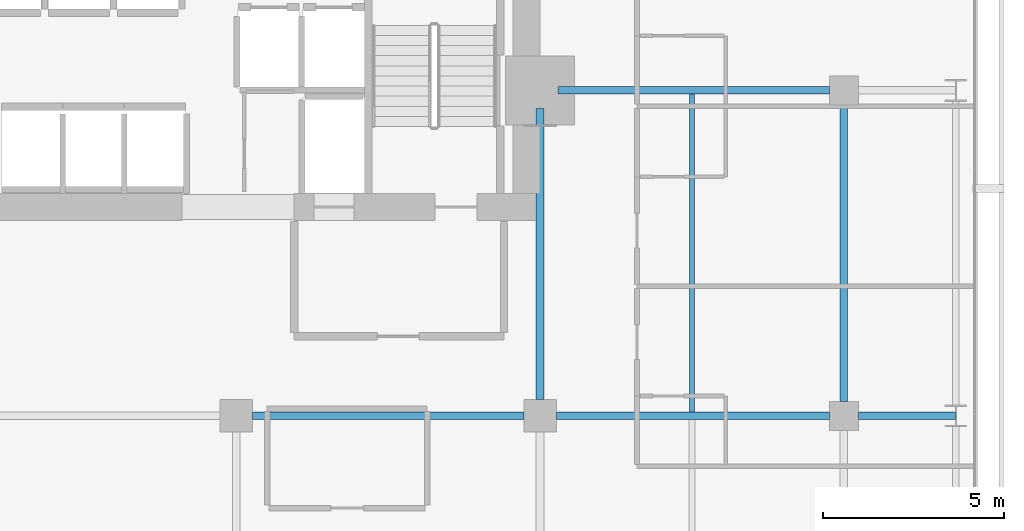
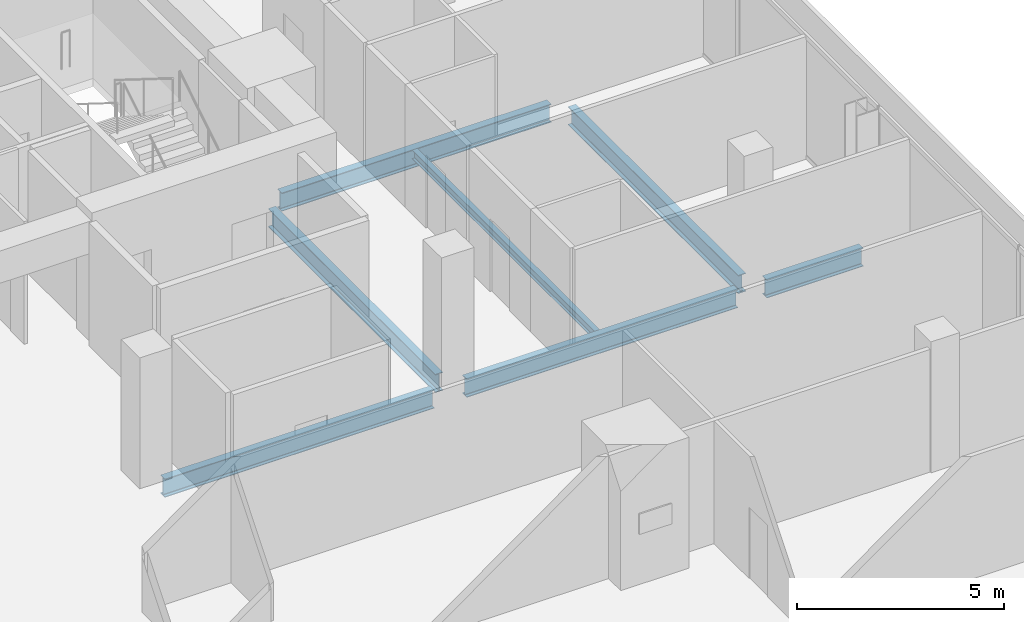
# One storey, part 23 of 34: 7 beams.
"""IFC4 building model written with IfcOpenShell, lengths in metres."""

from ifc_helpers import new_model, si_unit, direction, frame, origin, origin_2d, place, context, subcontext, project, spatial, i_section, extrude, material, material_profile, profile_set, type_object, element, save


model = new_model("IFC4")

# Units and contexts
model_context = context("Model", 3, precision=1e-05, world=origin(), true_north=direction((0.0, 1.0)))
body_context = subcontext(model_context, "Body", "Model", "MODEL_VIEW")
ifc_project = project(units=[si_unit("LENGTHUNIT", "METRE"), si_unit("AREAUNIT", "SQUARE_METRE"), si_unit("VOLUMEUNIT", "CUBIC_METRE"), si_unit("PLANEANGLEUNIT", "RADIAN"), si_unit("MASSUNIT", "GRAM", prefix="KILO")], contexts=[model_context])

# Site, building, storey
site_placement = place(None, origin())
site = spatial("IfcSite", under=ifc_project, at=site_placement, CompositionType="ELEMENT")
building_placement = place(site_placement, origin())
building = spatial("IfcBuilding", under=site, at=building_placement, Name="Maruvema Waterfront Hotel and Observation Tower", CompositionType="ELEMENT")
storey_placement = place(building_placement, frame((0.0, 0.0, 212.10009765625)))
storey = spatial("IfcBuildingStorey", under=building, at=storey_placement, Name="L52", CompositionType="ELEMENT", Elevation=212.10009765625)

# Beams
ifc_material_1 = material(Name="Steel ASTM A572 Grade 50", Category="steel")
ifc_material_profile_1 = material_profile(ifc_material_1, i_section(OverallWidth=0.2109375, OverallDepth=0.5390625, WebThickness=0.01171875, FlangeThickness=0.018798828125, FilletRadius=0.014892578125, at=origin_2d()), Name="W530x109.0")
ifc_profile_set_1 = profile_set([ifc_material_profile_1], Name="Steel ASTM A572 Grade 50")
beam_type_1 = type_object("IfcBeamType", Name="Primary Floor Girder W530x109.0", PredefinedType="BEAM", material=ifc_profile_set_1)
beam_1_placement = place(storey_placement, frame((42.449951171875, 36.0, -0.509521484375), z_axis=(1.0, 0.0, 0.0), x_axis=(0.0, 1.0, 0.0)))
element("IfcBeam", 1, at=beam_1_placement, inside=storey, type_object=beam_type_1, Name="L52 Floor Girder EW-27", PredefinedType="BEAM", context=body_context, shape_type="SweptSolid", body=[
    extrude(i_section(OverallWidth=0.2109375, OverallDepth=0.5390625, WebThickness=0.01171875, FlangeThickness=0.018798828125, FilletRadius=0.014892578125, at=origin_2d()), origin(), (0.0, 0.0, 1.0), 7.5),
])
beam_2_placement = place(storey_placement, frame((50.85009765625, 36.0, -0.509521484375), z_axis=(1.0, 0.0, 0.0), x_axis=(0.0, 1.0, 0.0)))
element("IfcBeam", 2, at=beam_2_placement, inside=storey, type_object=beam_type_1, Name="L52 Floor Girder EW-28", PredefinedType="BEAM", context=body_context, shape_type="SweptSolid", body=[
    extrude(i_section(OverallWidth=0.2109375, OverallDepth=0.5390625, WebThickness=0.01171875, FlangeThickness=0.018798828125, FilletRadius=0.014892578125, at=origin_2d()), origin(), (0.0, 0.0, 1.0), 7.5498046875),
])
beam_3_placement = place(storey_placement, frame((59.199951171875, 36.0, -0.509521484375), z_axis=(1.0, 0.0, 0.0), x_axis=(0.0, 1.0, 0.0)))
element("IfcBeam", 3, at=beam_3_placement, inside=storey, type_object=beam_type_1, Name="L52 Floor Girder EW-29", PredefinedType="BEAM", context=body_context, shape_type="SweptSolid", body=[
    extrude(i_section(OverallWidth=0.2109375, OverallDepth=0.5390625, WebThickness=0.01171875, FlangeThickness=0.018798828125, FilletRadius=0.014892578125, at=origin_2d()), origin(), (0.0, 0.0, 1.0), 2.6875),
])
beam_4_placement = place(storey_placement, frame((50.89990234375, 45.0, -0.509521484375), z_axis=(1.0, 0.0, 0.0), x_axis=(0.0, 1.0, 0.0)))
element("IfcBeam", 4, at=beam_4_placement, inside=storey, type_object=beam_type_1, Name="L52 Floor Girder EW-32", PredefinedType="BEAM", context=body_context, shape_type="SweptSolid", body=[
    extrude(i_section(OverallWidth=0.2109375, OverallDepth=0.5390625, WebThickness=0.01171875, FlangeThickness=0.018798828125, FilletRadius=0.014892578125, at=origin_2d()), origin(), (0.0, 0.0, 1.0), 7.5),
])
beam_5_placement = place(storey_placement, frame((50.39990234375, 36.449951171875, -0.509521484375), z_axis=(0.0, 1.0, 0.0), x_axis=(-1.0, 0.0, 0.0)))
element("IfcBeam", 5, at=beam_5_placement, inside=storey, type_object=beam_type_1, Name="L52 Floor Girder NS-24", PredefinedType="BEAM", context=body_context, shape_type="SweptSolid", body=[
    extrude(i_section(OverallWidth=0.2109375, OverallDepth=0.5390625, WebThickness=0.01171875, FlangeThickness=0.018798828125, FilletRadius=0.014892578125, at=origin_2d()), origin(), (0.0, 0.0, 1.0), 8.050048828125),
])
beam_6_placement = place(storey_placement, frame((58.800048828125, 36.39990234375, -0.509521484375), z_axis=(0.0, 1.0, 0.0), x_axis=(-1.0, 0.0, 0.0)))
element("IfcBeam", 6, at=beam_6_placement, inside=storey, type_object=beam_type_1, Name="L52 Floor Girder NS-28", PredefinedType="BEAM", context=body_context, shape_type="SweptSolid", body=[
    extrude(i_section(OverallWidth=0.2109375, OverallDepth=0.5390625, WebThickness=0.01171875, FlangeThickness=0.018798828125, FilletRadius=0.014892578125, at=origin_2d()), origin(), (0.0, 0.0, 1.0), 8.2001953125),
])
ifc_material_2 = material(Name="Steel ASTM A572 Grade 50", Category="steel")
ifc_material_profile_2 = material_profile(ifc_material_2, i_section(OverallWidth=0.14794921875, OverallDepth=0.26611328125, WebThickness=0.007568359375, FlangeThickness=0.012939453125, FilletRadius=0.012939453125, at=origin_2d()), Name="W250x44.8")
ifc_profile_set_2 = profile_set([ifc_material_profile_2], Name="Steel ASTM A572 Grade 50")
beam_type_2 = type_object("IfcBeamType", Name="Secondary Floor Joist W250x44.8", PredefinedType="JOIST", material=ifc_profile_set_2)
beam_7_placement = place(storey_placement, frame((54.60009765625, 36.10546875, -0.373046875), z_axis=(0.0, 1.0, 0.0), x_axis=(-1.0, 0.0, 0.0)))
element("IfcBeam", 7, at=beam_7_placement, inside=storey, type_object=beam_type_2, Name="L52 Secondary Floor Joist JS-14", PredefinedType="JOIST", context=body_context, shape_type="SweptSolid", body=[
    extrude(i_section(OverallWidth=0.14794921875, OverallDepth=0.26611328125, WebThickness=0.007568359375, FlangeThickness=0.012939453125, FilletRadius=0.012939453125, at=origin_2d()), origin(), (0.0, 0.0, 1.0), 8.7890625),
])

save(model, "model.ifc")
